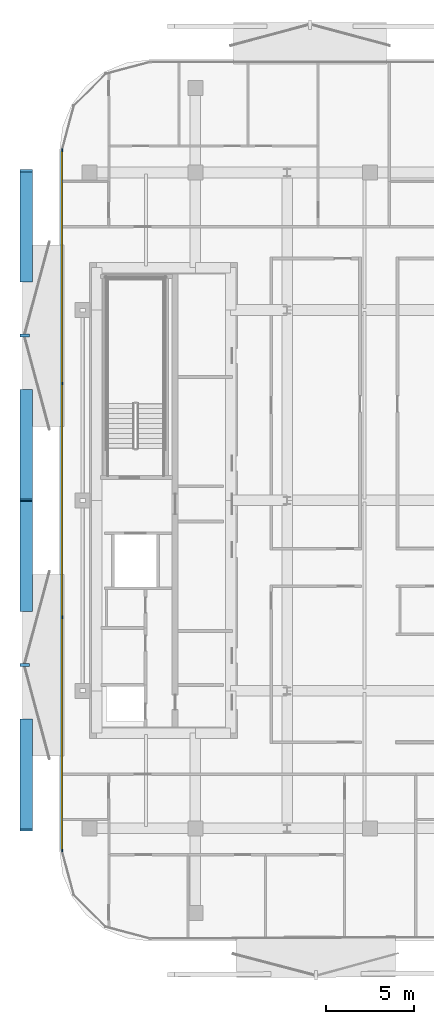
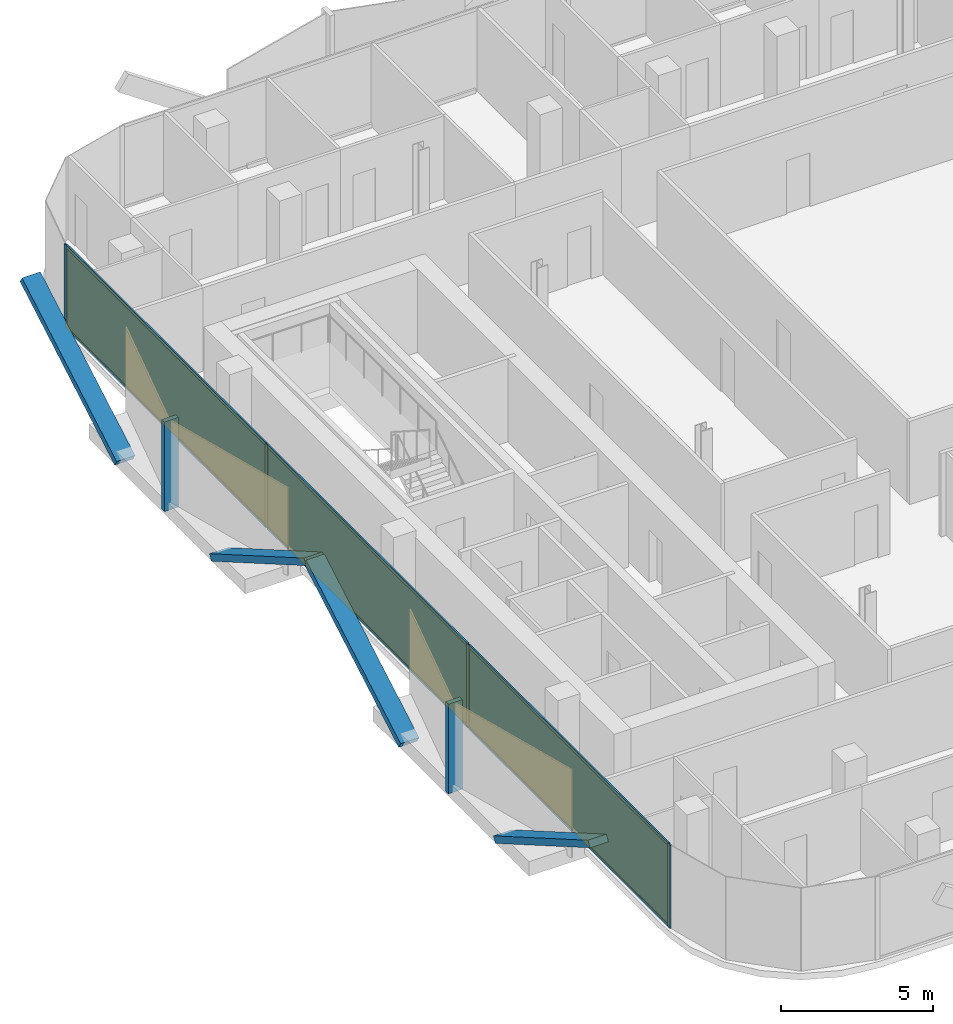
# One storey, part 9 of 14: 16 members, 3 plates, 1 curtain wall.
"""IFC4 building model written with IfcOpenShell, lengths in metres."""

from ifc_helpers import new_model, si_unit, direction, frame, frame_2d, origin, origin_2d, place, context, subcontext, project, spatial, rectangle, extrude, material, layer, layer_set, material_profile, profile_set, type_object, element, aggregate, save


model = new_model("IFC4")

# Units and contexts
model_context = context("Model", 3, precision=1e-05, world=origin(), true_north=direction((0.0, 1.0)))
body_context = subcontext(model_context, "Body", "Model", "MODEL_VIEW")
ifc_project = project(units=[si_unit("LENGTHUNIT", "METRE"), si_unit("AREAUNIT", "SQUARE_METRE"), si_unit("VOLUMEUNIT", "CUBIC_METRE"), si_unit("PLANEANGLEUNIT", "RADIAN"), si_unit("MASSUNIT", "GRAM", prefix="KILO")], contexts=[model_context])

# Member
ifc_material_1 = material(Name="Anodised Bronze Aluminium 6063-T6", Category="aluminium")
ifc_material_profile_1 = material_profile(ifc_material_1, rectangle(XDim=0.260009765625, YDim=0.699951171875, at=origin_2d()))
ifc_profile_set_1 = profile_set([ifc_material_profile_1], Name="Anodised Bronze Aluminium 6063-T6")
member_type_1 = type_object("IfcMemberType", Name="Bronze Diamond Solar-Screen Lattice Rib BDL-700", PredefinedType="MULLION", material=ifc_profile_set_1)
site_placement = place(None, origin())
building_placement = place(site_placement, origin())
storey_placement = place(building_placement, frame((0.0, 0.0, 229.60009765625)))
member_1_placement = place(storey_placement, frame((-24.0, -6.230224609375, -0.130126953125), z_axis=(0.0, 0.865840250196, 0.500320558383), x_axis=(0.0, -0.500320558383, 0.865840250196)))
member_1 = element("IfcMember", 1, at=member_1_placement, type_object=member_type_1, Name="L53 Bronze Diamond Solar Screen Lattice Rib 355A", PredefinedType="MULLION", context=body_context, shape_type="SweptSolid", body=[
    extrude(rectangle(XDim=0.260009765625, YDim=0.699951171875, at=origin_2d()), origin(), (0.0, 0.0, 1.0), 7.195556640625),
])

member_2_placement = place(storey_placement, frame((-24.0, -12.46044921875, -0.130126953125), z_axis=(0.0, -0.865848743011, 0.500305860676), x_axis=(0.0, 0.500305860676, 0.865848743011)))
member_2 = element("IfcMember", 2, at=member_2_placement, type_object=member_type_1, Name="L53 Bronze Diamond Solar Screen Lattice Rib 355B", PredefinedType="MULLION", context=body_context, shape_type="SweptSolid", body=[
    extrude(rectangle(XDim=0.260009765625, YDim=0.699951171875, at=origin_2d()), origin(), (0.0, 0.0, 1.0), 7.19580078125),
])

member_3_placement = place(storey_placement, frame((-24.0, 12.46044921875, -0.130126953125), z_axis=(0.0, 0.865848743011, 0.500305860676), x_axis=(0.0, -0.500305860676, 0.865848743011)))
member_3 = element("IfcMember", 3, at=member_3_placement, type_object=member_type_1, Name="L53 Bronze Diamond Solar Screen Lattice Rib 356A", PredefinedType="MULLION", context=body_context, shape_type="SweptSolid", body=[
    extrude(rectangle(XDim=0.260009765625, YDim=0.699951171875, at=origin_2d()), origin(), (0.0, 0.0, 1.0), 7.19580078125),
])

member_4_placement = place(storey_placement, frame((-24.0, 6.230224609375, -0.130126953125), z_axis=(0.0, -0.865840250196, 0.500320558383), x_axis=(0.0, 0.500320558383, 0.865840250196)))
member_4 = element("IfcMember", 4, at=member_4_placement, type_object=member_type_1, Name="L53 Bronze Diamond Solar Screen Lattice Rib 356B", PredefinedType="MULLION", context=body_context, shape_type="SweptSolid", body=[
    extrude(rectangle(XDim=0.260009765625, YDim=0.699951171875, at=origin_2d()), origin(), (0.0, 0.0, 1.0), 7.195556640625),
])

ifc_material_2 = material(Name="Anodised Bronze Aluminium 6063-T6", Category="aluminium")
ifc_material_profile_2 = material_profile(ifc_material_2, rectangle(XDim=0.179931640625, YDim=0.5400390625, at=origin_2d()))
ifc_profile_set_2 = profile_set([ifc_material_profile_2], Name="Anodised Bronze Aluminium 6063-T6")
member_type_2 = type_object("IfcMemberType", Name="Bronze Solar-Screen Vertical Fold Fin BSF-540", PredefinedType="MULLION", material=ifc_profile_set_2)
member_5_placement = place(storey_placement, frame((-24.080078125, -9.345458984375, -0.130126953125), z_axis=(0.0, 0.0, 1.0), x_axis=(0.0, 1.0, 0.0)))
member_5 = element("IfcMember", 5, at=member_5_placement, type_object=member_type_2, Name="L53 Bronze Solar Screen Vertical Fin 355", PredefinedType="MULLION", context=body_context, shape_type="SweptSolid", body=[
    extrude(rectangle(XDim=0.179931640625, YDim=0.5400390625, at=origin_2d()), origin(), (0.0, 0.0, 1.0), 3.60009765625),
])

member_6_placement = place(storey_placement, frame((-24.080078125, 9.345458984375, -0.130126953125), z_axis=(0.0, 0.0, 1.0), x_axis=(0.0, 1.0, 0.0)))
member_6 = element("IfcMember", 6, at=member_6_placement, type_object=member_type_2, Name="L53 Bronze Solar Screen Vertical Fin 356", PredefinedType="MULLION", context=body_context, shape_type="SweptSolid", body=[
    extrude(rectangle(XDim=0.179931640625, YDim=0.5400390625, at=origin_2d()), origin(), (0.0, 0.0, 1.0), 3.60009765625),
])

ifc_material_3 = material(Name="Anodised Bronze Aluminium 6063-T6", Category="aluminium")
ifc_material_profile_3 = material_profile(ifc_material_3, rectangle(XDim=0.06005859375, YDim=0.159912109375, at=origin_2d()))
ifc_profile_set_3 = profile_set([ifc_material_profile_3], Name="Anodised Bronze Aluminium 6063-T6")
member_type_3 = type_object("IfcMemberType", Name="CW-Z4 Mullion 60x160", PredefinedType="MULLION", material=ifc_profile_set_3)
member_7_placement = place(storey_placement, frame((-21.9599609375, -19.86083984375, 0.0), z_axis=(0.0, 0.0, 1.0), x_axis=(-1.0, 0.0, 0.0)))
member_7 = element("IfcMember", 7, at=member_7_placement, type_object=member_type_3, Name="CW-Z4 mullion 1", PredefinedType="MULLION", context=body_context, shape_type="SweptSolid", body=[
    extrude(rectangle(XDim=0.06005859375, YDim=0.159912109375, at=origin_2d()), origin(), (0.0, 0.0, 1.0), 3.33984375),
])

member_8_placement = place(storey_placement, frame((-21.9599609375, -6.63037109375, 0.0), z_axis=(0.0, 0.0, 1.0), x_axis=(-1.0, 0.0, 0.0)))
member_8 = element("IfcMember", 8, at=member_8_placement, type_object=member_type_3, Name="CW-Z4 mullion 2", PredefinedType="MULLION", context=body_context, shape_type="SweptSolid", body=[
    extrude(rectangle(XDim=0.06005859375, YDim=0.159912109375, at=origin_2d()), origin(), (0.0, 0.0, 1.0), 3.33984375),
])

member_9_placement = place(storey_placement, frame((-21.9599609375, 6.63037109375, 0.0), z_axis=(0.0, 0.0, 1.0), x_axis=(-1.0, 0.0, 0.0)))
member_9 = element("IfcMember", 9, at=member_9_placement, type_object=member_type_3, Name="CW-Z4 mullion 3", PredefinedType="MULLION", context=body_context, shape_type="SweptSolid", body=[
    extrude(rectangle(XDim=0.06005859375, YDim=0.159912109375, at=origin_2d()), origin(), (0.0, 0.0, 1.0), 3.33984375),
])

member_10_placement = place(storey_placement, frame((-21.9599609375, 19.86083984375, 0.0), z_axis=(0.0, 0.0, 1.0), x_axis=(-1.0, 0.0, 0.0)))
member_10 = element("IfcMember", 10, at=member_10_placement, type_object=member_type_3, Name="CW-Z4 mullion 4", PredefinedType="MULLION", context=body_context, shape_type="SweptSolid", body=[
    extrude(rectangle(XDim=0.06005859375, YDim=0.159912109375, at=origin_2d()), origin(), (0.0, 0.0, 1.0), 3.33984375),
])

ifc_material_4 = material(Name="Anodised Bronze Aluminium 6063-T6", Category="aluminium")
ifc_material_profile_4 = material_profile(ifc_material_4, rectangle(XDim=0.06005859375, YDim=0.125, at=origin_2d()))
ifc_profile_set_4 = profile_set([ifc_material_profile_4], Name="Anodised Bronze Aluminium 6063-T6")
member_type_4 = type_object("IfcMemberType", Name="CW-Z4 Transom 60x125", PredefinedType="USERDEFINED", material=ifc_profile_set_4)
member_11_placement = place(storey_placement, frame((-21.9599609375, -19.830810546875, 0.02978515625), z_axis=(0.0, 1.0, 0.0), x_axis=(-1.0, 0.0, 0.0)))
member_11 = element("IfcMember", 11, at=member_11_placement, type_object=member_type_4, Name="CW-Z4 transom 1.1", ObjectType="TRANSOM", PredefinedType="USERDEFINED", context=body_context, shape_type="SweptSolid", body=[
    extrude(rectangle(XDim=0.06005859375, YDim=0.125, at=origin_2d()), origin(), (0.0, 0.0, 1.0), 13.170654296875),
])

member_12_placement = place(storey_placement, frame((-21.9599609375, -19.830810546875, 3.309814453125), z_axis=(0.0, 1.0, 0.0), x_axis=(-1.0, 0.0, 0.0)))
member_12 = element("IfcMember", 12, at=member_12_placement, type_object=member_type_4, Name="CW-Z4 transom 1.2", ObjectType="TRANSOM", PredefinedType="USERDEFINED", context=body_context, shape_type="SweptSolid", body=[
    extrude(rectangle(XDim=0.06005859375, YDim=0.125, at=origin_2d()), origin(), (0.0, 0.0, 1.0), 13.170654296875),
])

member_13_placement = place(storey_placement, frame((-21.9599609375, -6.600341796875, 0.02978515625), z_axis=(0.0, 1.0, 0.0), x_axis=(-1.0, 0.0, 0.0)))
member_13 = element("IfcMember", 13, at=member_13_placement, type_object=member_type_4, Name="CW-Z4 transom 2.1", ObjectType="TRANSOM", PredefinedType="USERDEFINED", context=body_context, shape_type="SweptSolid", body=[
    extrude(rectangle(XDim=0.06005859375, YDim=0.125, at=origin_2d()), origin(), (0.0, 0.0, 1.0), 13.20068359375),
])

member_14_placement = place(storey_placement, frame((-21.9599609375, -6.600341796875, 3.309814453125), z_axis=(0.0, 1.0, 0.0), x_axis=(-1.0, 0.0, 0.0)))
member_14 = element("IfcMember", 14, at=member_14_placement, type_object=member_type_4, Name="CW-Z4 transom 2.2", ObjectType="TRANSOM", PredefinedType="USERDEFINED", context=body_context, shape_type="SweptSolid", body=[
    extrude(rectangle(XDim=0.06005859375, YDim=0.125, at=origin_2d()), origin(), (0.0, 0.0, 1.0), 13.20068359375),
])

member_15_placement = place(storey_placement, frame((-21.9599609375, 6.66015625, 0.02978515625), z_axis=(0.0, 1.0, 0.0), x_axis=(-1.0, 0.0, 0.0)))
member_15 = element("IfcMember", 15, at=member_15_placement, type_object=member_type_4, Name="CW-Z4 transom 3.1", ObjectType="TRANSOM", PredefinedType="USERDEFINED", context=body_context, shape_type="SweptSolid", body=[
    extrude(rectangle(XDim=0.06005859375, YDim=0.125, at=origin_2d()), origin(), (0.0, 0.0, 1.0), 13.170654296875),
])

member_16_placement = place(storey_placement, frame((-21.9599609375, 6.66015625, 3.309814453125), z_axis=(0.0, 1.0, 0.0), x_axis=(-1.0, 0.0, 0.0)))
member_16 = element("IfcMember", 16, at=member_16_placement, type_object=member_type_4, Name="CW-Z4 transom 3.2", ObjectType="TRANSOM", PredefinedType="USERDEFINED", context=body_context, shape_type="SweptSolid", body=[
    extrude(rectangle(XDim=0.06005859375, YDim=0.125, at=origin_2d()), origin(), (0.0, 0.0, 1.0), 13.170654296875),
])

# Plate
ifc_material_5 = material(Name="Low-E Solar Control Laminated Glass", Category="glass")
ifc_layer_1 = layer(ifc_material_5, 0.030029296875, Name="Low-E Solar Control Laminated Glass")
ifc_layer_set_1 = layer_set([ifc_layer_1], Name="Low-E Solar Control Laminated Glass")
plate_type = type_object("IfcPlateType", Name="CW-Z4 Low-E Double Glazed Panel 30mm", PredefinedType="CURTAIN_PANEL", material=ifc_layer_set_1)
plate_1_placement = place(storey_placement, frame((-21.9599609375, -13.24560546875, 0.06005859375), z_axis=(0.0, 0.0, 1.0), x_axis=(0.0, 1.0, 0.0)))
plate_1 = element("IfcPlate", 17, at=plate_1_placement, type_object=plate_type, Name="CW-Z4 panel 1.1", PredefinedType="CURTAIN_PANEL", context=body_context, shape_type="SweptSolid", body=[
    extrude(rectangle(XDim=13.170654296875, YDim=0.030029296875, at=origin_2d()), origin(), (0.0, 0.0, 1.0), 3.219970703125),
])

plate_2_placement = place(storey_placement, frame((-21.9599609375, 0.0, 0.06005859375), z_axis=(0.0, 0.0, 1.0), x_axis=(0.0, 1.0, 0.0)))
plate_2 = element("IfcPlate", 18, at=plate_2_placement, type_object=plate_type, Name="CW-Z4 panel 2.1", PredefinedType="CURTAIN_PANEL", context=body_context, shape_type="SweptSolid", body=[
    extrude(rectangle(XDim=13.200439453125, YDim=0.030029296875, at=origin_2d()), origin(), (0.0, 0.0, 1.0), 3.219970703125),
])

plate_3_placement = place(storey_placement, frame((-21.9599609375, 13.24560546875, 0.06005859375), z_axis=(0.0, 0.0, 1.0), x_axis=(0.0, 1.0, 0.0)))
plate_3 = element("IfcPlate", 19, at=plate_3_placement, type_object=plate_type, Name="CW-Z4 panel 3.1", PredefinedType="CURTAIN_PANEL", context=body_context, shape_type="SweptSolid", body=[
    extrude(rectangle(XDim=13.170654296875, YDim=0.030029296875, at=origin_2d()), origin(), (0.0, 0.0, 1.0), 3.219970703125),
])

# Site, building, storey
site = spatial("IfcSite", under=ifc_project, at=site_placement, CompositionType="ELEMENT")
building = spatial("IfcBuilding", under=site, at=building_placement, Name="Khairoan Windgate Tower", CompositionType="ELEMENT")
storey = spatial("IfcBuildingStorey", under=building, at=storey_placement, Name="L53", CompositionType="ELEMENT", Elevation=229.60009765625)

# Curtain wall
ifc_material_6 = material(Name="Anodised Bronze Aluminium 6063-T6", Category="aluminium")
ifc_layer_2 = layer(ifc_material_6, 0.159912109375, Name="Anodised Bronze Aluminium 6063-T6")
ifc_layer_set_2 = layer_set([ifc_layer_2], Name="Anodised Bronze Aluminium 6063-T6")
curtain_wall_type = type_object("IfcCurtainWallType", Name="Sky Residence Unitised Curtain Wall CW-Z4", PredefinedType="NOTDEFINED", material=ifc_layer_set_2)
curtain_wall_placement = place(storey_placement, frame((-21.9599609375, -19.890869140625, 0.0), z_axis=(0.0, 0.0, 1.0), x_axis=(0.0, 1.0, 0.0)))
curtain_wall = element("IfcCurtainWall", 20, at=curtain_wall_placement, inside=storey, type_object=curtain_wall_type, Name="L53 Unitised Curtain Wall 5", PredefinedType="NOTDEFINED", context=body_context, shape_type="SweptSolid", body=[
    extrude(rectangle(XDim=39.78173828125, YDim=0.010009765625, at=frame_2d((19.890869140625, 0.0))), origin(), (0.0, 0.0, 1.0), 3.33984375),
])

aggregate(curtain_wall, [member_7, member_8, member_9, member_10, member_11, member_12, plate_1, member_13, member_14, plate_2, member_15, member_16, plate_3, member_1, member_2, member_5, member_3, member_4, member_6])

save(model, "model.ifc")
